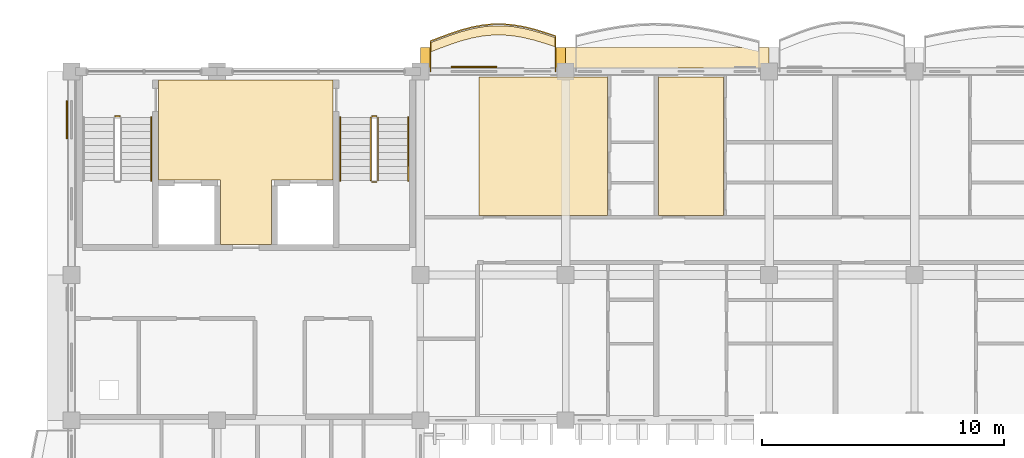
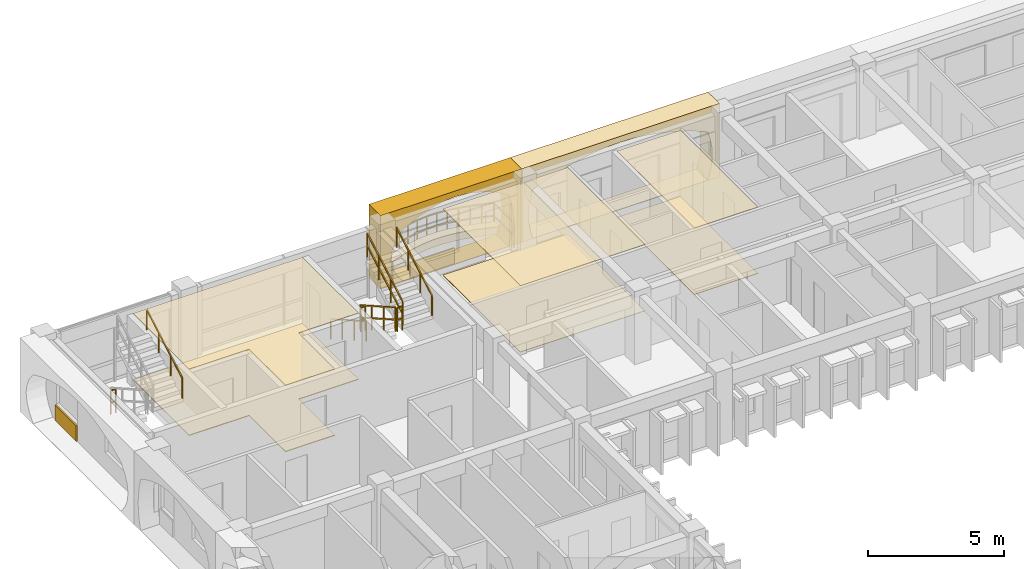
# One storey, part 49 of 66: 11 coverings, 9 railings.
"""IFC4 building model written with IfcOpenShell, lengths in metres."""

from ifc_helpers import new_model, si_unit, direction, frame, origin, origin_2d, place, context, subcontext, project, spatial, polyline, rectangle, outline, extrude, material, layer, layer_set, type_object, element, save


model = new_model("IFC4")

# Units and contexts
model_context = context("Model", 3, precision=1e-05, world=origin(), true_north=direction((0.0, 1.0)))
body_context = subcontext(model_context, "Body", "Model", "MODEL_VIEW")
ifc_project = project(units=[si_unit("LENGTHUNIT", "METRE"), si_unit("AREAUNIT", "SQUARE_METRE"), si_unit("VOLUMEUNIT", "CUBIC_METRE"), si_unit("PLANEANGLEUNIT", "RADIAN"), si_unit("MASSUNIT", "GRAM", prefix="KILO"), si_unit("THERMODYNAMICTEMPERATUREUNIT", "KELVIN")], contexts=[model_context])

# Site, building, storey
site_placement = place(None, origin())
site = spatial("IfcSite", under=ifc_project, at=site_placement, CompositionType="ELEMENT")
building_placement = place(site_placement, origin())
building = spatial("IfcBuilding", under=site, at=building_placement, Name="Thalorik Housing Commons", CompositionType="ELEMENT")
storey_placement = place(building_placement, frame((0.0, 0.0, 21.300048828125)))
storey = spatial("IfcBuildingStorey", under=building, at=storey_placement, Name="L06", CompositionType="ELEMENT", Elevation=21.300048828125)

# Coverings
ifc_material_1 = material(Name="Cobalt blue glazed ceramic facade tile panel", Category="masonry")
ifc_layer_1 = layer(ifc_material_1, 0.06005859375, Name="Cobalt blue glazed ceramic facade tile panel", Category="masonry")
ifc_layer_set_1 = layer_set([ifc_layer_1], Name="Cobalt blue glazed ceramic facade tile panel")
covering_type_1 = type_object("IfcCoveringType", Name="ARC-CLD-BLU-60", PredefinedType="CLADDING", material=ifc_layer_set_1)
covering_1_placement = place(storey_placement, frame((25.010009765625, 123.780029296875, 0.0498046875), z_axis=(0.0, 0.0, 1.0), x_axis=(-1.0, 0.0, 0.0)))
element("IfcCovering", 1, at=covering_1_placement, inside=storey, type_object=covering_type_1, Name="L06 De Stijl Recessed Window Spandrel 676", PredefinedType="CLADDING", context=body_context, shape_type="SweptSolid", body=[
    extrude(rectangle(XDim=1.8798828125, YDim=0.06005859375, at=origin_2d()), origin(), (0.0, 0.0, 1.0), 0.699951171875),
])
covering_2_placement = place(storey_placement, frame((8.219970703125, 121.603759765625, 0.0498046875), z_axis=(0.0, 0.0, 1.0), x_axis=(0.0, -1.0, 0.0)))
element("IfcCovering", 2, at=covering_2_placement, inside=storey, type_object=covering_type_1, Name="L06 De Stijl Recessed Window Spandrel 678", PredefinedType="CLADDING", context=body_context, shape_type="SweptSolid", body=[
    extrude(rectangle(XDim=1.550048828125, YDim=0.06005859375, at=origin_2d()), origin(), (0.0, 0.0, 1.0), 0.699951171875),
])
ifc_material_2 = material(Name="Precast concrete C40/50", Category="concrete")
ifc_layer_2 = layer(ifc_material_2, 0.85009765625, Name="Precast concrete C40/50", Category="concrete")
ifc_layer_set_2 = layer_set([ifc_layer_2], Name="Precast concrete C40/50")
covering_type_2 = type_object("IfcCoveringType", Name="ARC-CLD-CUSH-850", PredefinedType="CLADDING", material=ifc_layer_set_2)
covering_3_placement = place(storey_placement, frame((33.0, 124.169921875, 0.0), z_axis=(0.0, 0.0, 1.0), x_axis=(-1.0, 0.0, 0.0)))
element("IfcCovering", 3, at=covering_3_placement, inside=storey, type_object=covering_type_2, Name="L06 White Precast Curved Cushion Bay Frame 673", PredefinedType="CLADDING", context=body_context, shape_type="SweptSolid", body=[
    extrude(outline(polyline([(-4.199951171875, 0.0), (4.199951171875, 0.0), (4.199951171875, 3.300048828125), (-4.199951171875, 3.300048828125), (-4.199951171875, 0.0)]), holes=[polyline([(3.7314453125, 0.02490234375), (3.830322265625, 0.387451171875), (3.8896484375, 0.75), (3.909423828125, 1.112548828125), (3.8896484375, 1.47509765625), (3.830322265625, 1.83740234375), (3.7314453125, 2.199951171875), (3.1123046875, 2.455810546875), (2.4931640625, 2.656494140625), (1.873779296875, 2.819091796875), (1.254638671875, 2.940185546875), (0.635498046875, 3.014892578125), (0.016357421875, 3.0400390625), (-0.602783203125, 3.014892578125), (-1.221923828125, 2.940185546875), (-1.841064453125, 2.819091796875), (-2.460205078125, 2.656494140625), (-3.079345703125, 2.455810546875), (-3.698486328125, 2.199951171875), (-3.804443359375, 1.83740234375), (-3.867919921875, 1.47509765625), (-3.88916015625, 1.112548828125), (-3.867919921875, 0.75), (-3.804443359375, 0.387451171875), (-3.698486328125, 0.02490234375), (3.7314453125, 0.02490234375)])]), frame((0.0, 0.425048828125, 0.0), z_axis=(0.0, -1.0, 0.0), x_axis=(1.0, 0.0, 0.0)), (0.0, 0.0, 1.0), 0.85009765625),
])
covering_4_placement = place(storey_placement, frame((25.800048828125, 124.169921875, 0.0), z_axis=(0.0, 0.0, 1.0), x_axis=(-1.0, 0.0, 0.0)))
element("IfcCovering", 4, at=covering_4_placement, inside=storey, type_object=covering_type_2, Name="L06 White Precast Curved Cushion Bay Frame 675", PredefinedType="CLADDING", context=body_context, shape_type="SweptSolid", body=[
    extrude(outline(polyline([(-3.0, 0.0), (3.0, 0.0), (3.0, 3.300048828125), (-3.0, 3.300048828125), (-3.0, 0.0)]), holes=[polyline([(2.0400390625, 0.02490234375), (2.3232421875, 0.410888671875), (2.493408203125, 0.796630859375), (2.550048828125, 1.1826171875), (2.493408203125, 1.568359375), (2.3232421875, 1.9541015625), (2.0400390625, 2.340087890625), (1.66748046875, 2.552978515625), (1.294921875, 2.720458984375), (0.922607421875, 2.85595703125), (0.550048828125, 2.956787109375), (0.177490234375, 3.01904296875), (-0.195068359375, 3.0400390625), (-0.5673828125, 3.01904296875), (-0.93994140625, 2.956787109375), (-1.3125, 2.85595703125), (-1.68505859375, 2.720458984375), (-2.0576171875, 2.552978515625), (-2.429931640625, 2.340087890625), (-2.55029296875, 1.9541015625), (-2.62255859375, 1.568359375), (-2.646484375, 1.1826171875), (-2.62255859375, 0.796630859375), (-2.55029296875, 0.410888671875), (-2.429931640625, 0.02490234375), (2.0400390625, 0.02490234375)])]), frame((0.0, 0.425048828125, 0.0), z_axis=(0.0, -1.0, 0.0), x_axis=(1.0, 0.0, 0.0)), (0.0, 0.0, 1.0), 0.85009765625),
])
ifc_material_3 = material(Name="Moisture-resistant gypsum bathroom ceiling")
ifc_layer_3 = layer(ifc_material_3, 0.02490234375, Name="Moisture-resistant gypsum bathroom ceiling")
ifc_layer_set_3 = layer_set([ifc_layer_3], Name="Moisture-resistant gypsum bathroom ceiling")
covering_type_3 = type_object("IfcCoveringType", Name="ARC-COV-CEIL-04", PredefinedType="CEILING", material=ifc_layer_set_3)
covering_5_placement = place(storey_placement, frame((0.0, 0.0, 2.974853515625)))
element("IfcCovering", 5, at=covering_5_placement, inside=storey, type_object=covering_type_3, Name="L06 Living Dining Room Suspended Ceiling", PredefinedType="CEILING", context=body_context, shape_type="SweptSolid", body=[
    extrude(outline(polyline([(30.527099609375, 117.659912109375), (30.527099609375, 123.360107421875), (25.22998046875, 123.360107421875), (25.22998046875, 117.659912109375), (30.527099609375, 117.659912109375)])), origin(), (0.0, 0.0, 1.0), 0.025146484375),
])
ifc_material_4 = material(Name="Fire-rated calcium silicate corridor ceiling")
ifc_layer_4 = layer(ifc_material_4, 0.030029296875, Name="Fire-rated calcium silicate corridor ceiling")
ifc_layer_set_4 = layer_set([ifc_layer_4], Name="Fire-rated calcium silicate corridor ceiling")
covering_type_4 = type_object("IfcCoveringType", Name="ARC-COV-CEIL-05", PredefinedType="CEILING", material=ifc_layer_set_4)
covering_6_placement = place(storey_placement, frame((0.0, 0.0, 2.969970703125)))
element("IfcCovering", 6, at=covering_6_placement, inside=storey, type_object=covering_type_4, Name="L06 Family Lounge Suspended Ceiling", PredefinedType="CEILING", context=body_context, shape_type="SweptSolid", body=[
    extrude(outline(polyline([(35.317138671875, 117.659912109375), (35.317138671875, 123.360107421875), (32.6201171875, 123.360107421875), (32.6201171875, 117.659912109375), (35.317138671875, 117.659912109375)])), origin(), (0.0, 0.0, 1.0), 0.030029296875),
])
ifc_material_5 = material(Name="Acoustic wood-wool nursery ceiling panel", Category="wood")
ifc_layer_5 = layer(ifc_material_5, 0.035888671875, Name="Acoustic wood-wool nursery ceiling panel", Category="wood")
ifc_layer_set_5 = layer_set([ifc_layer_5], Name="Acoustic wood-wool nursery ceiling panel")
covering_type_5 = type_object("IfcCoveringType", Name="ARC-COV-CEIL-06", PredefinedType="CEILING", material=ifc_layer_set_5)
covering_7_placement = place(storey_placement, frame((0.0, 0.0, 2.9638671875)))
element("IfcCovering", 7, at=covering_7_placement, inside=storey, type_object=covering_type_5, Name="L06 Block A Firefighting Lift Lobby Suspended Ceiling", PredefinedType="CEILING", context=body_context, shape_type="SweptSolid", body=[
    extrude(outline(polyline([(14.550048828125, 116.449951171875), (16.64990234375, 116.449951171875), (16.650146484375, 119.1201171875), (19.199951171875, 119.1201171875), (19.199951171875, 123.25), (12.0, 123.25), (12.0, 119.1201171875), (14.550048828125, 119.1201171875), (14.550048828125, 116.449951171875)])), origin(), (0.0, 0.0, 1.0), 0.0361328125),
])
ifc_material_6 = material(Name="Sprung Brazilian oak assembly hall timber floor", Category="wood")
ifc_layer_6 = layer(ifc_material_6, 0.02392578125, Name="Sprung Brazilian oak assembly hall timber floor", Category="wood")
ifc_layer_set_6 = layer_set([ifc_layer_6], Name="Sprung Brazilian oak assembly hall timber floor")
covering_type_6 = type_object("IfcCoveringType", Name="ARC-COV-FLR-04", PredefinedType="FLOORING", material=ifc_layer_set_6)
covering_8_placement = place(storey_placement, origin())
element("IfcCovering", 8, at=covering_8_placement, inside=storey, type_object=covering_type_6, Name="L06 Living Dining Room Flooring", PredefinedType="FLOORING", context=body_context, shape_type="SweptSolid", body=[
    extrude(outline(polyline([(30.527099609375, 117.659912109375), (30.527099609375, 123.360107421875), (25.22998046875, 123.360107421875), (25.22998046875, 117.659912109375), (30.527099609375, 117.659912109375)])), origin(), (0.0, 0.0, 1.0), 0.02392578125),
])
ifc_material_7 = material(Name="Heavy-duty porcelain metro vestibule tile")
ifc_layer_7 = layer(ifc_material_7, 0.028076171875, Name="Heavy-duty porcelain metro vestibule tile")
ifc_layer_set_7 = layer_set([ifc_layer_7], Name="Heavy-duty porcelain metro vestibule tile")
covering_type_7 = type_object("IfcCoveringType", Name="ARC-COV-FLR-05", PredefinedType="FLOORING", material=ifc_layer_set_7)
covering_9_placement = place(storey_placement, origin())
element("IfcCovering", 9, at=covering_9_placement, inside=storey, type_object=covering_type_7, Name="L06 Family Lounge Flooring", PredefinedType="FLOORING", context=body_context, shape_type="SweptSolid", body=[
    extrude(outline(polyline([(35.317138671875, 117.659912109375), (35.317138671875, 123.360107421875), (32.6201171875, 123.360107421875), (32.6201171875, 117.659912109375), (35.317138671875, 117.659912109375)])), origin(), (0.0, 0.0, 1.0), 0.02783203125),
])
ifc_material_8 = material(Name="Epoxy-sealed concrete plant and bicycle hub finish", Category="concrete")
ifc_layer_8 = layer(ifc_material_8, 0.031982421875, Name="Epoxy-sealed concrete plant and bicycle hub finish", Category="concrete")
ifc_layer_set_8 = layer_set([ifc_layer_8], Name="Epoxy-sealed concrete plant and bicycle hub finish")
covering_type_8 = type_object("IfcCoveringType", Name="ARC-COV-FLR-06", PredefinedType="FLOORING", material=ifc_layer_set_8)
covering_10_placement = place(storey_placement, origin())
element("IfcCovering", 10, at=covering_10_placement, inside=storey, type_object=covering_type_8, Name="L06 Block A Firefighting Lift Lobby Flooring", PredefinedType="FLOORING", context=body_context, shape_type="SweptSolid", body=[
    extrude(outline(polyline([(14.550048828125, 116.449951171875), (16.64990234375, 116.449951171875), (16.650146484375, 119.1201171875), (19.199951171875, 119.1201171875), (19.199951171875, 123.25), (12.0, 123.25), (12.0, 119.1201171875), (14.550048828125, 119.1201171875), (14.550048828125, 116.449951171875)])), origin(), (0.0, 0.0, 1.0), 0.031982421875),
])
ifc_material_9 = material(Name="Planted vegetated substrate and terracotta trough", Category="masonry")
ifc_layer_9 = layer(ifc_material_9, 0.340087890625, Name="Planted vegetated substrate and terracotta trough", Category="masonry")
ifc_layer_set_9 = layer_set([ifc_layer_9], Name="Planted vegetated substrate and terracotta trough")
covering_type_9 = type_object("IfcCoveringType", Name="ARC-COV-PLANTER", PredefinedType="USERDEFINED", material=ifc_layer_set_9)
covering_11_placement = place(storey_placement, origin())
element("IfcCovering", 11, at=covering_11_placement, inside=storey, type_object=covering_type_9, Name="L06 Balcony Slab-Edge Planted Trough 5357", ObjectType="PLANTER", PredefinedType="USERDEFINED", context=body_context, shape_type="SweptSolid", body=[
    extrude(outline(polyline([(28.3798828125, 124.989501953125), (27.949951171875, 125.1318359375), (27.52001953125, 125.260986328125), (27.090087890625, 125.366943359375), (26.659912109375, 125.4423828125), (26.22998046875, 125.481201171875), (25.800048828125, 125.480224609375), (25.3701171875, 125.4384765625), (24.93994140625, 125.358154296875), (24.510009765625, 125.244384765625), (24.080078125, 125.10400390625), (23.64990234375, 124.946533203125), (23.219970703125, 124.781982421875), (23.219970703125, 124.402099609375), (23.64990234375, 124.56640625), (24.080078125, 124.72412109375), (24.510009765625, 124.864501953125), (24.93994140625, 124.978271484375), (25.3701171875, 125.058349609375), (25.800048828125, 125.10009765625), (26.22998046875, 125.101318359375), (26.659912109375, 125.0625), (27.090087890625, 124.987060546875), (27.52001953125, 124.880859375), (27.949951171875, 124.751953125), (28.3798828125, 124.609619140625), (28.3798828125, 124.989501953125)])), origin(), (0.0, 0.0, 1.0), 0.33984375),
])

# Railings
ifc_material_10 = material(Name="Steel S355", Category="steel")
railing_type_1 = type_object("IfcRailingType", Name="ARC-RL-BAL-115", PredefinedType="BALUSTRADE", material=ifc_material_10)
railing_1_placement = place(storey_placement, frame((28.3798828125, 123.60009765625, 0.0)))
element("IfcRailing", 12, at=railing_1_placement, inside=storey, type_object=railing_type_1, Name="L06 Cushion Balcony Guardrail 41", PredefinedType="BALUSTRADE", context=body_context, shape_type="SweptSolid", body=[
    extrude(rectangle(XDim=0.050048828125, YDim=0.050048828125, at=origin_2d()), frame((0.0, 0.0, 1.125), z_axis=(0.0, 1.0, 0.0), x_axis=(-1.0, 0.0, 0.0)), (0.0, 0.0, 1.0), 1.45947265625),
    extrude(rectangle(XDim=0.050048828125, YDim=0.050048828125, at=origin_2d()), frame((0.0, 0.0, 0.5498046875), z_axis=(0.0, 1.0, 0.0), x_axis=(-1.0, 0.0, 0.0)), (0.0, 0.0, 1.0), 1.45947265625),
    extrude(rectangle(XDim=0.050048828125, YDim=0.050048828125, at=origin_2d()), frame((0.0, 1.45947265625, 1.125), z_axis=(-0.949328214695, 0.3142863993, 0.0), x_axis=(-0.3142863993, -0.949328214695, 0.0)), (0.0, 0.0, 1.0), 0.452880859375),
    extrude(rectangle(XDim=0.050048828125, YDim=0.050048828125, at=origin_2d()), frame((0.0, 1.45947265625, 0.5498046875), z_axis=(-0.949328214695, 0.3142863993, 0.0), x_axis=(-0.3142863993, -0.949328214695, 0.0)), (0.0, 0.0, 1.0), 0.452880859375),
    extrude(rectangle(XDim=0.050048828125, YDim=0.050048828125, at=origin_2d()), frame((-0.429931640625, 1.601806640625, 1.125), z_axis=(-0.957871185663, 0.287198174918, 0.0), x_axis=(-0.287198174918, -0.957871185663, 0.0)), (0.0, 0.0, 1.0), 0.44873046875),
    extrude(rectangle(XDim=0.050048828125, YDim=0.050048828125, at=origin_2d()), frame((-0.429931640625, 1.601806640625, 0.5498046875), z_axis=(-0.957871185663, 0.287198174918, 0.0), x_axis=(-0.287198174918, -0.957871185663, 0.0)), (0.0, 0.0, 1.0), 0.44873046875),
    extrude(rectangle(XDim=0.050048828125, YDim=0.050048828125, at=origin_2d()), frame((-0.85986328125, 1.730712890625, 1.125), z_axis=(-0.970819679707, 0.23981065342, 0.0), x_axis=(-0.23981065342, -0.970819679707, 0.0)), (0.0, 0.0, 1.0), 0.44287109375),
    extrude(rectangle(XDim=0.050048828125, YDim=0.050048828125, at=origin_2d()), frame((-0.85986328125, 1.730712890625, 0.5498046875), z_axis=(-0.970819679707, 0.23981065342, 0.0), x_axis=(-0.23981065342, -0.970819679707, 0.0)), (0.0, 0.0, 1.0), 0.44287109375),
    extrude(rectangle(XDim=0.050048828125, YDim=0.050048828125, at=origin_2d()), frame((-1.289794921875, 1.8369140625, 1.125), z_axis=(-0.984968706606, 0.172732877606, 0.0), x_axis=(-0.172732877606, -0.984968706606, 0.0)), (0.0, 0.0, 1.0), 0.436767578125),
    extrude(rectangle(XDim=0.050048828125, YDim=0.050048828125, at=origin_2d()), frame((-1.289794921875, 1.8369140625, 0.5498046875), z_axis=(-0.984968706606, 0.172732877606, 0.0), x_axis=(-0.172732877606, -0.984968706606, 0.0)), (0.0, 0.0, 1.0), 0.436767578125),
    extrude(rectangle(XDim=0.050048828125, YDim=0.050048828125, at=origin_2d()), frame((-1.719970703125, 1.912353515625, 1.125), z_axis=(-0.995948647187, 0.089923813119, 0.0), x_axis=(-0.089923813119, -0.995948647187, 0.0)), (0.0, 0.0, 1.0), 0.431640625),
    extrude(rectangle(XDim=0.050048828125, YDim=0.050048828125, at=origin_2d()), frame((-1.719970703125, 1.912353515625, 0.5498046875), z_axis=(-0.995948647187, 0.089923813119, 0.0), x_axis=(-0.089923813119, -0.995948647187, 0.0)), (0.0, 0.0, 1.0), 0.431640625),
    extrude(rectangle(XDim=0.050048828125, YDim=0.050048828125, at=origin_2d()), frame((-2.14990234375, 1.951171875, 1.125), z_axis=(-0.999997420298, -0.002271430824, 0.0), x_axis=(0.002271430824, -0.999997420298, 0.0)), (0.0, 0.0, 1.0), 0.429931640625),
    extrude(rectangle(XDim=0.050048828125, YDim=0.050048828125, at=origin_2d()), frame((-2.14990234375, 1.951171875, 0.5498046875), z_axis=(-0.999997420298, -0.002271430824, 0.0), x_axis=(0.002271430824, -0.999997420298, 0.0)), (0.0, 0.0, 1.0), 0.429931640625),
    extrude(rectangle(XDim=0.050048828125, YDim=0.050048828125, at=origin_2d()), frame((-2.579833984375, 1.9501953125, 1.125), z_axis=(-0.995263970634, -0.097209200993, 0.0), x_axis=(0.097209200993, -0.995263970634, 0.0)), (0.0, 0.0, 1.0), 0.431884765625),
    extrude(rectangle(XDim=0.050048828125, YDim=0.050048828125, at=origin_2d()), frame((-2.579833984375, 1.9501953125, 0.5498046875), z_axis=(-0.995263970634, -0.097209200993, 0.0), x_axis=(0.097209200993, -0.995263970634, 0.0)), (0.0, 0.0, 1.0), 0.431884765625),
    extrude(rectangle(XDim=0.050048828125, YDim=0.050048828125, at=origin_2d()), frame((-3.009765625, 1.908203125, 1.125), z_axis=(-0.98311137791, -0.18300824742, 0.0), x_axis=(0.18300824742, -0.98311137791, 0.0)), (0.0, 0.0, 1.0), 0.4375),
    extrude(rectangle(XDim=0.050048828125, YDim=0.050048828125, at=origin_2d()), frame((-3.009765625, 1.908203125, 0.5498046875), z_axis=(-0.98311137791, -0.18300824742, 0.0), x_axis=(0.18300824742, -0.98311137791, 0.0)), (0.0, 0.0, 1.0), 0.4375),
    extrude(rectangle(XDim=0.050048828125, YDim=0.050048828125, at=origin_2d()), frame((-3.43994140625, 1.828125, 1.125), z_axis=(-0.966725195305, -0.25581711585, 0.0), x_axis=(0.25581711585, -0.966725195305, 0.0)), (0.0, 0.0, 1.0), 0.44482421875),
    extrude(rectangle(XDim=0.050048828125, YDim=0.050048828125, at=origin_2d()), frame((-3.43994140625, 1.828125, 0.5498046875), z_axis=(-0.966725195305, -0.25581711585, 0.0), x_axis=(0.25581711585, -0.966725195305, 0.0)), (0.0, 0.0, 1.0), 0.44482421875),
    extrude(rectangle(XDim=0.050048828125, YDim=0.050048828125, at=origin_2d()), frame((-3.869873046875, 1.71435546875, 1.125), z_axis=(-0.950608707094, -0.310391826564, 0.0), x_axis=(0.310391826564, -0.950608707094, 0.0)), (0.0, 0.0, 1.0), 0.4521484375),
    extrude(rectangle(XDim=0.050048828125, YDim=0.050048828125, at=origin_2d()), frame((-3.869873046875, 1.71435546875, 0.5498046875), z_axis=(-0.950608707094, -0.310391826564, 0.0), x_axis=(0.310391826564, -0.950608707094, 0.0)), (0.0, 0.0, 1.0), 0.4521484375),
    extrude(rectangle(XDim=0.050048828125, YDim=0.050048828125, at=origin_2d()), frame((-4.2998046875, 1.573974609375, 1.125), z_axis=(-0.939059922416, -0.343753490328, 0.0), x_axis=(0.343753490328, -0.939059922416, 0.0)), (0.0, 0.0, 1.0), 0.4580078125),
    extrude(rectangle(XDim=0.050048828125, YDim=0.050048828125, at=origin_2d()), frame((-4.2998046875, 1.573974609375, 0.5498046875), z_axis=(-0.939059922416, -0.343753490328, 0.0), x_axis=(0.343753490328, -0.939059922416, 0.0)), (0.0, 0.0, 1.0), 0.4580078125),
    extrude(rectangle(XDim=0.050048828125, YDim=0.050048828125, at=origin_2d()), frame((-4.72998046875, 1.41650390625, 1.125), z_axis=(-0.933932105252, -0.357450448007, 0.0), x_axis=(0.357450448007, -0.933932105252, 0.0)), (0.0, 0.0, 1.0), 0.46044921875),
    extrude(rectangle(XDim=0.050048828125, YDim=0.050048828125, at=origin_2d()), frame((-4.72998046875, 1.41650390625, 0.5498046875), z_axis=(-0.933932105252, -0.357450448007, 0.0), x_axis=(0.357450448007, -0.933932105252, 0.0)), (0.0, 0.0, 1.0), 0.46044921875),
    extrude(rectangle(XDim=0.050048828125, YDim=0.050048828125, at=origin_2d()), frame((-5.159912109375, 1.251953125, 1.125), z_axis=(0.0, -1.0, 0.0), x_axis=(1.0, 0.0, 0.0)), (0.0, 0.0, 1.0), 1.251953125),
    extrude(rectangle(XDim=0.050048828125, YDim=0.050048828125, at=origin_2d()), frame((-5.159912109375, 1.251953125, 0.5498046875), z_axis=(0.0, -1.0, 0.0), x_axis=(1.0, 0.0, 0.0)), (0.0, 0.0, 1.0), 1.251953125),
    extrude(rectangle(XDim=0.0419921875, YDim=0.0419921875, at=origin_2d()), origin(), (0.0, 0.0, 1.0), 1.099853515625),
    extrude(rectangle(XDim=0.0419921875, YDim=0.0419921875, at=origin_2d()), frame((0.0, 1.45947265625, 0.0)), (0.0, 0.0, 1.0), 1.099853515625),
    extrude(rectangle(XDim=0.0419921875, YDim=0.0419921875, at=origin_2d()), frame((-0.429931640625, 1.601806640625, 0.0)), (0.0, 0.0, 1.0), 1.099853515625),
    extrude(rectangle(XDim=0.0419921875, YDim=0.0419921875, at=origin_2d()), frame((-0.85986328125, 1.730712890625, 0.0)), (0.0, 0.0, 1.0), 1.099853515625),
    extrude(rectangle(XDim=0.0419921875, YDim=0.0419921875, at=origin_2d()), frame((-1.289794921875, 1.8369140625, 0.0)), (0.0, 0.0, 1.0), 1.099853515625),
    extrude(rectangle(XDim=0.0419921875, YDim=0.0419921875, at=origin_2d()), frame((-1.719970703125, 1.912353515625, 0.0)), (0.0, 0.0, 1.0), 1.099853515625),
    extrude(rectangle(XDim=0.0419921875, YDim=0.0419921875, at=origin_2d()), frame((-2.14990234375, 1.951171875, 0.0)), (0.0, 0.0, 1.0), 1.099853515625),
    extrude(rectangle(XDim=0.0419921875, YDim=0.0419921875, at=origin_2d()), frame((-2.579833984375, 1.9501953125, 0.0)), (0.0, 0.0, 1.0), 1.099853515625),
    extrude(rectangle(XDim=0.0419921875, YDim=0.0419921875, at=origin_2d()), frame((-3.009765625, 1.908203125, 0.0)), (0.0, 0.0, 1.0), 1.099853515625),
    extrude(rectangle(XDim=0.0419921875, YDim=0.0419921875, at=origin_2d()), frame((-3.43994140625, 1.828125, 0.0)), (0.0, 0.0, 1.0), 1.099853515625),
    extrude(rectangle(XDim=0.0419921875, YDim=0.0419921875, at=origin_2d()), frame((-3.869873046875, 1.71435546875, 0.0)), (0.0, 0.0, 1.0), 1.099853515625),
    extrude(rectangle(XDim=0.0419921875, YDim=0.0419921875, at=origin_2d()), frame((-4.2998046875, 1.573974609375, 0.0)), (0.0, 0.0, 1.0), 1.099853515625),
    extrude(rectangle(XDim=0.0419921875, YDim=0.0419921875, at=origin_2d()), frame((-4.72998046875, 1.41650390625, 0.0)), (0.0, 0.0, 1.0), 1.099853515625),
    extrude(rectangle(XDim=0.0419921875, YDim=0.0419921875, at=origin_2d()), frame((-5.159912109375, 1.251953125, 0.0)), (0.0, 0.0, 1.0), 1.099853515625),
    extrude(rectangle(XDim=0.0419921875, YDim=0.0419921875, at=origin_2d()), frame((-5.159912109375, 0.0, 0.0)), (0.0, 0.0, 1.0), 1.099853515625),
])
railing_type_2 = type_object("IfcRailingType", Name="ARC-RL-STR-GRD110", PredefinedType="GUARDRAIL", material=ifc_material_10)
railing_2_placement = place(storey_placement, frame((10.199951171875, 121.75, 0.0)))
element("IfcRailing", 13, at=railing_2_placement, inside=storey, type_object=railing_type_2, Name="L06 ST-A1 stair guard 4", PredefinedType="GUARDRAIL", context=body_context, shape_type="SweptSolid", body=[
    extrude(rectangle(XDim=0.048095703125, YDim=0.048095703125, at=origin_2d()), frame((0.0, 0.0, 1.076171875), z_axis=(1.0, 0.0, 0.0), x_axis=(0.0, 1.0, 0.0)), (0.0, 0.0, 1.0), 0.199951171875),
    extrude(rectangle(XDim=0.048095703125, YDim=0.048095703125, at=origin_2d()), frame((0.0, 0.0, 0.52587890625), z_axis=(1.0, 0.0, 0.0), x_axis=(0.0, 1.0, 0.0)), (0.0, 0.0, 1.0), 0.199951171875),
    extrude(rectangle(XDim=0.0419921875, YDim=0.0419921875, at=origin_2d()), origin(), (0.0, 0.0, 1.0), 1.052001953125),
    extrude(rectangle(XDim=0.0419921875, YDim=0.0419921875, at=origin_2d()), frame((0.199951171875, 0.0, 0.0)), (0.0, 0.0, 1.0), 1.052001953125),
])
railing_3_placement = place(storey_placement, frame((20.75, 121.699951171875, 0.1650390625)))
element("IfcRailing", 14, at=railing_3_placement, inside=storey, type_object=railing_type_2, Name="L06 ST-A2 stair guard 1", PredefinedType="GUARDRAIL", context=body_context, shape_type="SweptSolid", body=[
    extrude(rectangle(XDim=0.048095703125, YDim=0.048095703125, at=origin_2d()), frame((0.0, 0.0, 1.076171875), z_axis=(0.0, -0.869172267526, 0.494509422927), x_axis=(1.0, 0.0, 0.0)), (0.0, 0.0, 1.0), 3.002685546875),
    extrude(rectangle(XDim=0.048095703125, YDim=0.048095703125, at=origin_2d()), frame((0.0, 0.0, 0.52587890625), z_axis=(0.0, -0.869172267526, 0.494509422927), x_axis=(1.0, 0.0, 0.0)), (0.0, 0.0, 1.0), 3.002685546875),
    extrude(rectangle(XDim=0.0419921875, YDim=0.0419921875, at=origin_2d()), origin(), (0.0, 0.0, 1.0), 1.052001953125),
    extrude(rectangle(XDim=0.0419921875, YDim=0.0419921875, at=origin_2d()), frame((0.0, -0.869873046875, 0.494873046875)), (0.0, 0.0, 1.0), 1.052001953125),
    extrude(rectangle(XDim=0.0419921875, YDim=0.0419921875, at=origin_2d()), frame((0.0, -1.739990234375, 0.989990234375)), (0.0, 0.0, 1.0), 1.052001953125),
    extrude(rectangle(XDim=0.0419921875, YDim=0.0419921875, at=origin_2d()), frame((0.0, -2.60986328125, 1.48486328125)), (0.0, 0.0, 1.0), 1.052001953125),
])
railing_4_placement = place(storey_placement, frame((20.800048828125, 119.0400390625, 1.64990234375)))
element("IfcRailing", 15, at=railing_4_placement, inside=storey, type_object=railing_type_2, Name="L06 ST-A2 stair guard 2", PredefinedType="GUARDRAIL", context=body_context, shape_type="SweptSolid", body=[
    extrude(rectangle(XDim=0.048095703125, YDim=0.048095703125, at=origin_2d()), frame((0.0, 0.0, 1.076171875), z_axis=(1.0, 0.0, 0.0), x_axis=(0.0, 1.0, 0.0)), (0.0, 0.0, 1.0), 0.199951171875),
    extrude(rectangle(XDim=0.048095703125, YDim=0.048095703125, at=origin_2d()), frame((0.0, 0.0, 0.52587890625), z_axis=(1.0, 0.0, 0.0), x_axis=(0.0, 1.0, 0.0)), (0.0, 0.0, 1.0), 0.199951171875),
    extrude(rectangle(XDim=0.0419921875, YDim=0.0419921875, at=origin_2d()), origin(), (0.0, 0.0, 1.0), 1.052001953125),
    extrude(rectangle(XDim=0.0419921875, YDim=0.0419921875, at=origin_2d()), frame((0.199951171875, 0.0, 0.0)), (0.0, 0.0, 1.0), 1.052001953125),
])
railing_5_placement = place(storey_placement, frame((21.050048828125, 119.090087890625, 1.81494140625)))
element("IfcRailing", 16, at=railing_5_placement, inside=storey, type_object=railing_type_2, Name="L06 ST-A2 stair guard 3", PredefinedType="GUARDRAIL", context=body_context, shape_type="SweptSolid", body=[
    extrude(rectangle(XDim=0.048095703125, YDim=0.048095703125, at=origin_2d()), frame((0.0, 0.0, 1.076171875), z_axis=(0.0, 0.869137319866, 0.494570843475), x_axis=(-1.0, 0.0, 0.0)), (0.0, 0.0, 1.0), 3.0029296875),
    extrude(rectangle(XDim=0.048095703125, YDim=0.048095703125, at=origin_2d()), frame((0.0, 0.0, 0.52587890625), z_axis=(0.0, 0.869137319866, 0.494570843475), x_axis=(-1.0, 0.0, 0.0)), (0.0, 0.0, 1.0), 3.0029296875),
    extrude(rectangle(XDim=0.0419921875, YDim=0.0419921875, at=origin_2d()), origin(), (0.0, 0.0, 1.0), 1.052001953125),
    extrude(rectangle(XDim=0.0419921875, YDim=0.0419921875, at=origin_2d()), frame((0.0, 0.869873046875, 0.4951171875)), (0.0, 0.0, 1.0), 1.052001953125),
    extrude(rectangle(XDim=0.0419921875, YDim=0.0419921875, at=origin_2d()), frame((0.0, 1.739990234375, 0.989990234375)), (0.0, 0.0, 1.0), 1.052001953125),
    extrude(rectangle(XDim=0.0419921875, YDim=0.0419921875, at=origin_2d()), frame((0.0, 2.60986328125, 1.485107421875)), (0.0, 0.0, 1.0), 1.052001953125),
])
railing_6_placement = place(storey_placement, frame((20.800048828125, 121.75, 0.0)))
element("IfcRailing", 17, at=railing_6_placement, inside=storey, type_object=railing_type_2, Name="L06 ST-A2 stair guard 4", PredefinedType="GUARDRAIL", context=body_context, shape_type="SweptSolid", body=[
    extrude(rectangle(XDim=0.048095703125, YDim=0.048095703125, at=origin_2d()), frame((0.0, 0.0, 1.076171875), z_axis=(1.0, 0.0, 0.0), x_axis=(0.0, 1.0, 0.0)), (0.0, 0.0, 1.0), 0.199951171875),
    extrude(rectangle(XDim=0.048095703125, YDim=0.048095703125, at=origin_2d()), frame((0.0, 0.0, 0.52587890625), z_axis=(1.0, 0.0, 0.0), x_axis=(0.0, 1.0, 0.0)), (0.0, 0.0, 1.0), 0.199951171875),
    extrude(rectangle(XDim=0.0419921875, YDim=0.0419921875, at=origin_2d()), origin(), (0.0, 0.0, 1.0), 1.052001953125),
    extrude(rectangle(XDim=0.0419921875, YDim=0.0419921875, at=origin_2d()), frame((0.199951171875, 0.0, 0.0)), (0.0, 0.0, 1.0), 1.052001953125),
])
railing_type_3 = type_object("IfcRailingType", Name="ARC-RL-STR-HR092", PredefinedType="HANDRAIL", material=ifc_material_10)
railing_7_placement = place(storey_placement, frame((11.699951171875, 119.090087890625, 1.81494140625)))
element("IfcRailing", 18, at=railing_7_placement, inside=storey, type_object=railing_type_3, Name="L06 ST-A1 stair handrail 2", PredefinedType="HANDRAIL", context=body_context, shape_type="SweptSolid", body=[
    extrude(rectangle(XDim=0.048095703125, YDim=0.048095703125, at=origin_2d()), frame((0.0, 0.0, 0.89599609375), z_axis=(0.0, 0.869137319866, 0.494570843475), x_axis=(-1.0, 0.0, 0.0)), (0.0, 0.0, 1.0), 3.0029296875),
    extrude(rectangle(XDim=0.0419921875, YDim=0.0419921875, at=origin_2d()), origin(), (0.0, 0.0, 1.0), 0.871826171875),
    extrude(rectangle(XDim=0.0419921875, YDim=0.0419921875, at=origin_2d()), frame((0.0, 0.869873046875, 0.4951171875)), (0.0, 0.0, 1.0), 0.871826171875),
    extrude(rectangle(XDim=0.0419921875, YDim=0.0419921875, at=origin_2d()), frame((0.0, 1.739990234375, 0.989990234375)), (0.0, 0.0, 1.0), 0.871826171875),
    extrude(rectangle(XDim=0.0419921875, YDim=0.0419921875, at=origin_2d()), frame((0.0, 2.60986328125, 1.485107421875)), (0.0, 0.0, 1.0), 0.871826171875),
])
railing_8_placement = place(storey_placement, frame((19.5, 121.699951171875, 0.1650390625)))
element("IfcRailing", 19, at=railing_8_placement, inside=storey, type_object=railing_type_3, Name="L06 ST-A2 stair handrail 1", PredefinedType="HANDRAIL", context=body_context, shape_type="SweptSolid", body=[
    extrude(rectangle(XDim=0.048095703125, YDim=0.048095703125, at=origin_2d()), frame((0.0, 0.0, 0.89599609375), z_axis=(0.0, -0.869172267526, 0.494509422927), x_axis=(1.0, 0.0, 0.0)), (0.0, 0.0, 1.0), 3.002685546875),
    extrude(rectangle(XDim=0.0419921875, YDim=0.0419921875, at=origin_2d()), origin(), (0.0, 0.0, 1.0), 0.871826171875),
    extrude(rectangle(XDim=0.0419921875, YDim=0.0419921875, at=origin_2d()), frame((0.0, -0.869873046875, 0.494873046875)), (0.0, 0.0, 1.0), 0.871826171875),
    extrude(rectangle(XDim=0.0419921875, YDim=0.0419921875, at=origin_2d()), frame((0.0, -1.739990234375, 0.989990234375)), (0.0, 0.0, 1.0), 0.871826171875),
    extrude(rectangle(XDim=0.0419921875, YDim=0.0419921875, at=origin_2d()), frame((0.0, -2.60986328125, 1.48486328125)), (0.0, 0.0, 1.0), 0.871826171875),
])
railing_9_placement = place(storey_placement, frame((22.300048828125, 119.090087890625, 1.81494140625)))
element("IfcRailing", 20, at=railing_9_placement, inside=storey, type_object=railing_type_3, Name="L06 ST-A2 stair handrail 2", PredefinedType="HANDRAIL", context=body_context, shape_type="SweptSolid", body=[
    extrude(rectangle(XDim=0.048095703125, YDim=0.048095703125, at=origin_2d()), frame((0.0, 0.0, 0.89599609375), z_axis=(0.0, 0.869137319866, 0.494570843475), x_axis=(-1.0, 0.0, 0.0)), (0.0, 0.0, 1.0), 3.0029296875),
    extrude(rectangle(XDim=0.0419921875, YDim=0.0419921875, at=origin_2d()), origin(), (0.0, 0.0, 1.0), 0.871826171875),
    extrude(rectangle(XDim=0.0419921875, YDim=0.0419921875, at=origin_2d()), frame((0.0, 0.869873046875, 0.4951171875)), (0.0, 0.0, 1.0), 0.871826171875),
    extrude(rectangle(XDim=0.0419921875, YDim=0.0419921875, at=origin_2d()), frame((0.0, 1.739990234375, 0.989990234375)), (0.0, 0.0, 1.0), 0.871826171875),
    extrude(rectangle(XDim=0.0419921875, YDim=0.0419921875, at=origin_2d()), frame((0.0, 2.60986328125, 1.485107421875)), (0.0, 0.0, 1.0), 0.871826171875),
])

save(model, "model.ifc")
